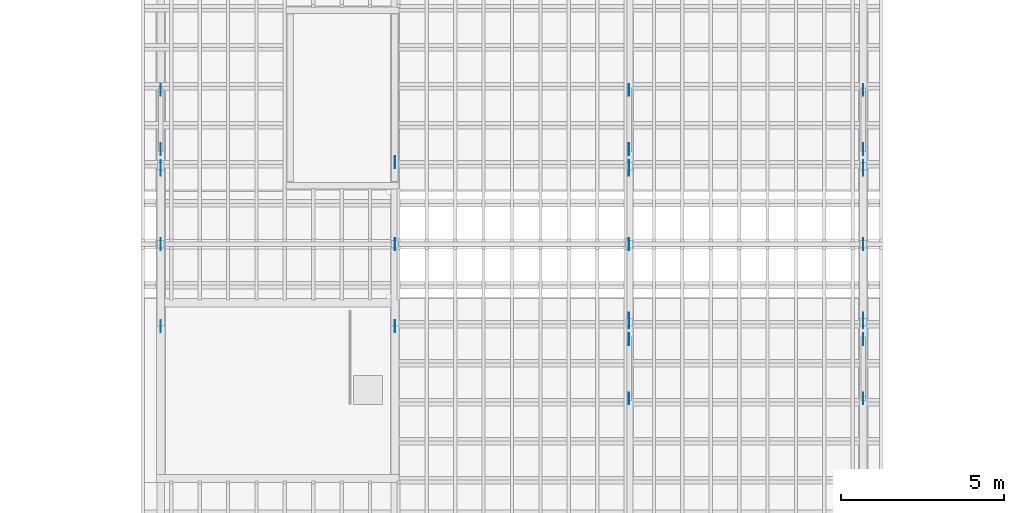
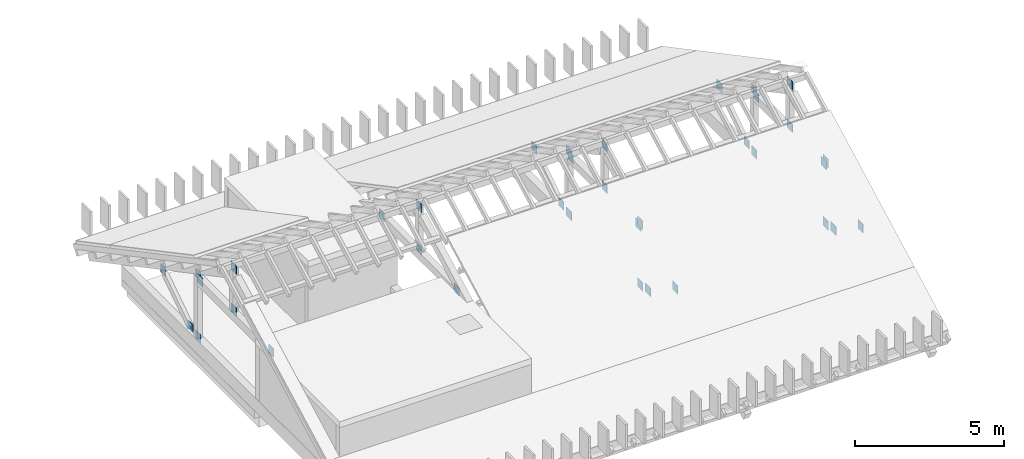
# One storey, part 21 of 28: 36 discrete accessories.
"""IFC4 building model written with IfcOpenShell, lengths in metres."""

from ifc_helpers import new_model, si_unit, direction, frame, origin, origin_2d, place, context, subcontext, project, spatial, rectangle, extrude, material, type_object, element, save


model = new_model("IFC4")

# Units and contexts
model_context = context("Model", 3, precision=1e-05, world=origin(), true_north=direction((0.0, 1.0)))
body_context = subcontext(model_context, "Body", "Model", "MODEL_VIEW")
ifc_project = project(units=[si_unit("LENGTHUNIT", "METRE"), si_unit("AREAUNIT", "SQUARE_METRE"), si_unit("VOLUMEUNIT", "CUBIC_METRE"), si_unit("PLANEANGLEUNIT", "RADIAN"), si_unit("MASSUNIT", "GRAM", prefix="KILO")], contexts=[model_context])

# Site, building, storey
site_placement = place(None, origin())
site = spatial("IfcSite", under=ifc_project, at=site_placement, CompositionType="ELEMENT")
building_placement = place(site_placement, origin())
building = spatial("IfcBuilding", under=site, at=building_placement, Name="Mazhai Court Health Centre", CompositionType="ELEMENT")
storey_placement = place(building_placement, frame((0.0, 0.0, 18.0)))
storey = spatial("IfcBuildingStorey", under=building, at=storey_placement, Name="RF", CompositionType="ELEMENT", Elevation=18.0)

# Discrete accessories
ifc_material = material(Name="Steel IS 2062 E250", Category="steel")
discrete_accessory_type = type_object("IfcDiscreteAccessoryType", Name="TRUSS NODE PLATE 12", PredefinedType="BRACKET", material=ifc_material)
for number, where, z_axis, x_axis, name in (
    (1, (71.0, 23.0, 0.3798828125), (0.0, 0.0, 1.0), (1.0, 0.0, 0.0), "Node plate Post TV4W-1-P2 end a"),
    (2, (71.0, 23.0, 2.93212890625), (0.0, 0.0, 1.0), (1.0, 0.0, 0.0), "Node plate Post TV4W-1-P2 end b"),
    (3, (71.0, 18.080078125, 2.77197265625), (0.0, 0.0, 1.0), (1.0, 0.0, 0.0), "Node plate Collar TV4W-1-SB1 end a"),
    (4, (71.0, 22.8798828125, 2.77197265625), (0.0, 0.0, 1.0), (1.0, 0.0, 0.0), "Node plate Collar TV4W-1-SB1 end b"),
    (5, (71.0, 20.60009765625, 2.93212890625), (0.0, 0.0, 1.0), (1.0, 0.0, 0.0), "Node plate Post TV4W-1-P3 end a"),
    (6, (71.0, 20.60009765625, 4.66650390625), (0.0, 0.0, 1.0), (1.0, 0.0, 0.0), "Node plate Post TV4W-1-P3 end b"),
    (7, (71.0, 23.518310546875, 0.47998046875), (0.0, 0.0, 1.0), (1.0, 0.0, 0.0), "Node plate Strut TV4W-1-S2 end a"),
    (8, (71.0, 25.34521484375, 1.68408203125), (0.0, 0.0, 1.0), (1.0, 0.0, 0.0), "Node plate Strut TV4W-1-S2 end b"),
    (9, (78.199951171875, 18.080078125, 2.77197265625), (0.0, 0.0, 1.0), (1.0, 0.0, 0.0), "Node plate Collar TV4W-2-SB1 end a"),
    (10, (78.199951171875, 23.1201171875, 2.77197265625), (0.0, 0.0, 1.0), (1.0, 0.0, 0.0), "Node plate Collar TV4W-2-SB1 end b"),
    (11, (78.199951171875, 20.60009765625, 2.93212890625), (0.0, 0.0, 1.0), (1.0, 0.0, 0.0), "Node plate Post TV4W-2-P3 end a"),
    (12, (78.199951171875, 20.60009765625, 4.66650390625), (0.0, 0.0, 1.0), (1.0, 0.0, 0.0), "Node plate Post TV4W-2-P3 end b"),
    (13, (85.39990234375, 18.199951171875, 0.3798828125), (0.0, 0.0, 1.0), (1.0, 0.0, 0.0), "Node plate Post TV4W-3-P1 end a"),
    (14, (85.39990234375, 18.199951171875, 2.93212890625), (0.0, 0.0, 1.0), (1.0, 0.0, 0.0), "Node plate Post TV4W-3-P1 end b"),
    (15, (85.39990234375, 23.0, 0.3798828125), (0.0, 0.0, 1.0), (1.0, 0.0, 0.0), "Node plate Post TV4W-3-P2 end a"),
    (16, (85.39990234375, 23.0, 2.93212890625), (0.0, 0.0, 1.0), (1.0, 0.0, 0.0), "Node plate Post TV4W-3-P2 end b"),
    (17, (85.39990234375, 18.320068359375, 2.77197265625), (0.0, 0.0, 1.0), (1.0, 0.0, 0.0), "Node plate Collar TV4W-3-SB1 end a"),
    (18, (85.39990234375, 22.8798828125, 2.77197265625), (0.0, 0.0, 1.0), (1.0, 0.0, 0.0), "Node plate Collar TV4W-3-SB1 end b"),
    (19, (85.39990234375, 20.60009765625, 2.93212890625), (0.0, 0.0, 1.0), (1.0, 0.0, 0.0), "Node plate Post TV4W-3-P3 end a"),
    (20, (85.39990234375, 20.60009765625, 4.66650390625), (0.0, 0.0, 1.0), (1.0, 0.0, 0.0), "Node plate Post TV4W-3-P3 end b"),
    (21, (85.39990234375, 17.681640625, 0.47998046875), (0.0, 0.0, 1.0), (1.0, 0.0, 0.0), "Node plate Strut TV4W-3-S1 end a"),
    (22, (85.39990234375, 15.854736328125, 1.68408203125), (0.0, 0.0, 1.0), (1.0, 0.0, 0.0), "Node plate Strut TV4W-3-S1 end b"),
    (23, (85.39990234375, 23.518310546875, 0.47998046875), (0.0, 0.0, 1.0), (1.0, 0.0, 0.0), "Node plate Strut TV4W-3-S2 end a"),
    (24, (85.39990234375, 25.34521484375, 1.68408203125), (0.0, 0.0, 1.0), (1.0, 0.0, 0.0), "Node plate Strut TV4W-3-S2 end b"),
    (25, (92.60009765625, 18.199951171875, 0.3798828125), (0.0, 0.0, 1.0), (1.0, 0.0, 0.0), "Node plate Post TV4W-4-P1 end a"),
    (26, (92.60009765625, 18.199951171875, 2.93212890625), (0.0, 0.0, 1.0), (1.0, 0.0, 0.0), "Node plate Post TV4W-4-P1 end b"),
    (27, (92.60009765625, 23.0, 0.3798828125), (0.0, 0.0, 1.0), (1.0, 0.0, 0.0), "Node plate Post TV4W-4-P2 end a"),
    (28, (92.60009765625, 23.0, 2.93212890625), (0.0, 0.0, 1.0), (1.0, 0.0, 0.0), "Node plate Post TV4W-4-P2 end b"),
    (29, (92.60009765625, 18.320068359375, 2.77197265625), (0.0, 0.0, 1.0), (1.0, 0.0, 0.0), "Node plate Collar TV4W-4-SB1 end a"),
    (30, (92.60009765625, 22.8798828125, 2.77197265625), (0.0, 0.0, 1.0), (1.0, 0.0, 0.0), "Node plate Collar TV4W-4-SB1 end b"),
    (31, (92.60009765625, 20.60009765625, 2.93212890625), (0.0, 0.0, 1.0), (1.0, 0.0, 0.0), "Node plate Post TV4W-4-P3 end a"),
    (32, (92.60009765625, 20.60009765625, 4.66650390625), (0.0, 0.0, 1.0), (1.0, 0.0, 0.0), "Node plate Post TV4W-4-P3 end b"),
    (33, (92.60009765625, 17.681640625, 0.47998046875), (0.0, 0.0, 1.0), (1.0, 0.0, 0.0), "Node plate Strut TV4W-4-S1 end a"),
    (34, (92.60009765625, 15.854736328125, 1.68408203125), (0.0, 0.0, 1.0), (1.0, 0.0, 0.0), "Node plate Strut TV4W-4-S1 end b"),
    (35, (92.60009765625, 23.518310546875, 0.47998046875), (0.0, 0.0, 1.0), (1.0, 0.0, 0.0), "Node plate Strut TV4W-4-S2 end a"),
    (36, (92.60009765625, 25.34521484375, 1.68408203125), (0.0, 0.0, 1.0), (1.0, 0.0, 0.0), "Node plate Strut TV4W-4-S2 end b"),
):
    element("IfcDiscreteAccessory", number, at=place(storey_placement, frame(where, z_axis=z_axis, x_axis=x_axis)), inside=storey, type_object=discrete_accessory_type, Name=name, PredefinedType="BRACKET", context=body_context, shape_type="SweptSolid", body=[
        extrude(rectangle(XDim=0.011962890625, YDim=0.360107421875, at=origin_2d()), origin(), (0.0, 0.0, 1.0), 0.360107421875),
    ])

save(model, "model.ifc")
